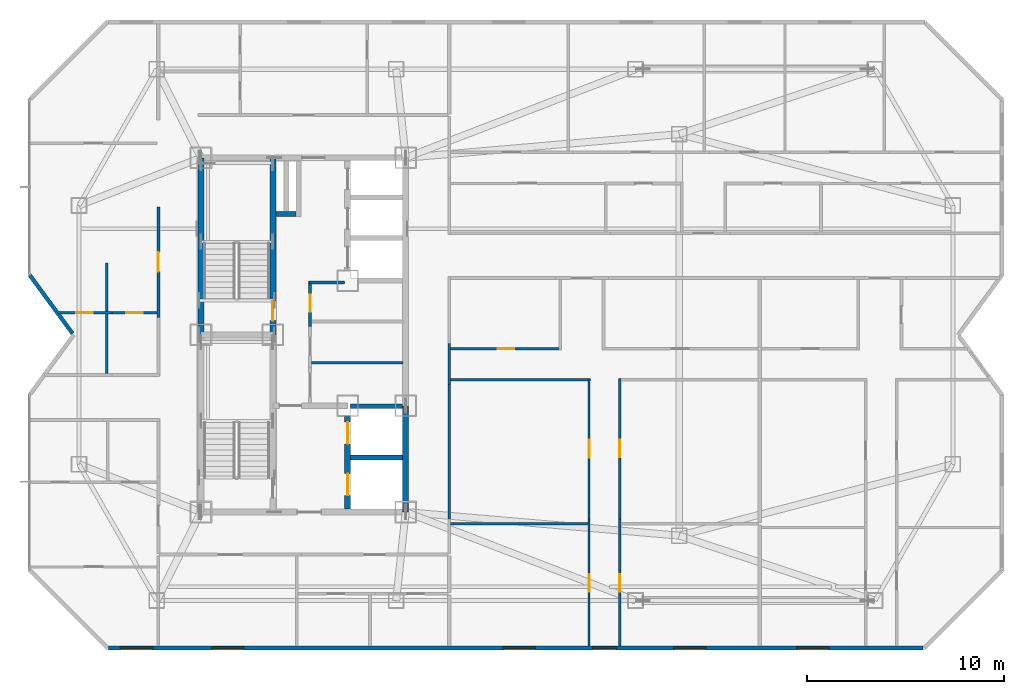
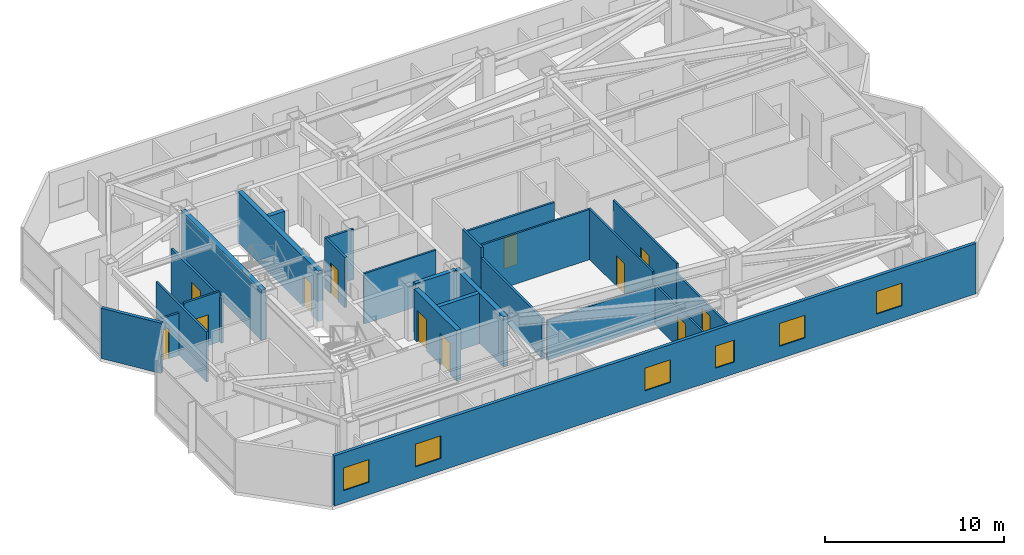
# One storey, part 11 of 15: 25 walls, 12 doors, 6 windows, 18 openings.
"""IFC4 building model written with IfcOpenShell, lengths in metres."""

from ifc_helpers import new_model, si_unit, direction, frame, frame_2d, origin, place, context, subcontext, project, spatial, rectangle, extrude, material, layer, layer_set, type_object, element, fill, save


model = new_model("IFC4")

# Units and contexts
model_context = context("Model", 3, precision=1e-05, world=origin(), true_north=direction((0.0, 1.0)))
body_context = subcontext(model_context, "Body", "Model", "MODEL_VIEW")
ifc_project = project(units=[si_unit("LENGTHUNIT", "METRE"), si_unit("AREAUNIT", "SQUARE_METRE"), si_unit("VOLUMEUNIT", "CUBIC_METRE"), si_unit("PLANEANGLEUNIT", "RADIAN"), si_unit("MASSUNIT", "GRAM", prefix="KILO")], contexts=[model_context])

# Site, building, storey
site_placement = place(None, origin())
site = spatial("IfcSite", under=ifc_project, at=site_placement, CompositionType="ELEMENT")
building_placement = place(site_placement, origin())
building = spatial("IfcBuilding", under=site, at=building_placement, Name="Khamvora Tower", CompositionType="ELEMENT")
storey_placement = place(building_placement, frame((0.0, 0.0, 220.85009765625)))
storey = spatial("IfcBuildingStorey", under=building, at=storey_placement, Name="L56", CompositionType="ELEMENT", Elevation=220.85009765625)

# Walls
ifc_material_1 = material(Name="Concrete C50/60", Category="concrete")
ifc_layer_1 = layer(ifc_material_1, 0.300048828125)
ifc_layer_set_1 = layer_set([ifc_layer_1], Name="Concrete C50/60")
wall_type_1 = type_object("IfcWallType", Name="WAL-CORE-300", PredefinedType="SHEAR", material=ifc_layer_set_1)
wall_1_placement = place(storey_placement, frame((29.0, 28.0, 0.0), z_axis=(0.0, 0.0, 1.0), x_axis=(0.0, 1.0, 0.0)))
element("IfcWall", 1, at=wall_1_placement, inside=storey, type_object=wall_type_1, Name="L56 central core west north wall", PredefinedType="SHEAR", context=body_context, shape_type="SweptSolid", body=[
    extrude(rectangle(XDim=9.0, YDim=0.300048828125, at=frame_2d((4.5, 0.0))), origin(), (0.0, 0.0, 1.0), 3.429931640625),
])
wall_2_placement = place(storey_placement, frame((39.39990234375, 19.0, 0.0), z_axis=(0.0, 0.0, 1.0), x_axis=(0.0, 1.0, 0.0)))
element("IfcWall", 2, at=wall_2_placement, inside=storey, type_object=wall_type_1, Name="L56 central core east south wall", PredefinedType="SHEAR", context=body_context, shape_type="SweptSolid", body=[
    extrude(rectangle(XDim=5.39990234375, YDim=0.300048828125, at=frame_2d((2.699951171875, 0.0))), origin(), (0.0, 0.0, 1.0), 3.429931640625),
])

# Wall, opening, door
wall_3_placement = place(storey_placement, frame((32.64990234375, 28.0, 0.0), z_axis=(0.0, 0.0, 1.0), x_axis=(0.0, 1.0, 0.0)))
wall_3 = element("IfcWall", 3, at=wall_3_placement, inside=storey, type_object=wall_type_1, Name="L56 central core stair north spine wall", PredefinedType="SHEAR", context=body_context, shape_type="SweptSolid", body=[
    extrude(rectangle(XDim=9.0, YDim=0.300048828125, at=frame_2d((4.5, 0.0))), origin(), (0.0, 0.0, 1.0), 3.429931640625),
])
opening_1_placement = place(wall_3_placement, frame((0.719970703125, 0.0, 0.0)))
opening_1 = element("IfcOpeningElement", 4, at=opening_1_placement, cuts=wall_3, Name="Opening D-ST1", PredefinedType="OPENING", context=body_context, shape_type="SweptSolid", body=[
    extrude(rectangle(XDim=1.0, YDim=2.14990234375, at=frame_2d((0.5, 1.074951171875))), frame((0.0, 0.159912109375, 0.0), z_axis=(0.0, -1.0, 0.0), x_axis=(1.0, 0.0, 0.0)), (0.0, 0.0, 1.0), 0.320068359375),
])
ifc_material_2 = material(Name="Powder-Coated Steel and Hardwood Leaf", Category="steel")
door_type_1 = type_object("IfcDoorType", Name="DOR-STAIR-1000", OperationType="NOTDEFINED", PredefinedType="DOOR", material=ifc_material_2)
door_1_placement = place(opening_1_placement, origin())
door_1 = element("IfcDoor", 5, at=door_1_placement, inside=storey, type_object=door_type_1, Name="L56 exit stair ST-02 fire door", OperationType="SINGLE_SWING_RIGHT", OverallHeight=2.14990234375, OverallWidth=1.0, PredefinedType="DOOR", context=body_context, shape_type="SweptSolid", body=[
    extrude(rectangle(XDim=1.0, YDim=2.14990234375, at=frame_2d((0.5, 1.074951171875))), frame((0.0, 0.02490234375, 0.0), z_axis=(0.0, -1.0, 0.0), x_axis=(1.0, 0.0, 0.0)), (0.0, 0.0, 1.0), 0.050048828125),
])
fill(opening_1, door_1)

# Wall, openings, doors
wall_4_placement = place(storey_placement, frame((36.449951171875, 19.154052734375, 0.0), z_axis=(0.0, 0.0, 1.0), x_axis=(0.0, 1.0, 0.0)))
wall_4 = element("IfcWall", 6, at=wall_4_placement, inside=storey, type_object=wall_type_1, Name="L56 central core lift bank south wall", PredefinedType="SHEAR", context=body_context, shape_type="SweptSolid", body=[
    extrude(rectangle(XDim=4.696044921875, YDim=0.300048828125, at=frame_2d((2.34814453125, 0.0))), origin(), (0.0, 0.0, 1.0), 3.429931640625),
])
opening_2_placement = place(wall_4_placement, frame((0.696044921875, 0.0, 0.0)))
opening_2 = element("IfcOpeningElement", 7, at=opening_2_placement, cuts=wall_4, Name="Opening LD-FFL", PredefinedType="OPENING", context=body_context, shape_type="SweptSolid", body=[
    extrude(rectangle(XDim=1.10009765625, YDim=2.14990234375, at=frame_2d((0.550048828125, 1.074951171875))), frame((0.0, 0.159912109375, 0.0), z_axis=(0.0, -1.0, 0.0), x_axis=(1.0, 0.0, 0.0)), (0.0, 0.0, 1.0), 0.320068359375),
])
opening_3_placement = place(wall_4_placement, frame((3.31591796875, 0.0, 0.0)))
opening_3 = element("IfcOpeningElement", 8, at=opening_3_placement, cuts=wall_4, Name="Opening LD-FFL", PredefinedType="OPENING", context=body_context, shape_type="SweptSolid", body=[
    extrude(rectangle(XDim=1.10009765625, YDim=2.14990234375, at=frame_2d((0.550048828125, 1.074951171875))), frame((0.0, 0.159912109375, 0.0), z_axis=(0.0, -1.0, 0.0), x_axis=(1.0, 0.0, 0.0)), (0.0, 0.0, 1.0), 0.320068359375),
])
door_type_2 = type_object("IfcDoorType", Name="DOR-LIFT-1100", OperationType="SLIDING_TO_LEFT", PredefinedType="DOOR", material=ifc_material_2)
door_2_placement = place(opening_2_placement, origin())
door_2 = element("IfcDoor", 9, at=door_2_placement, inside=storey, type_object=door_type_2, Name="L56 lift landing sliding door FFL-01", OperationType="SLIDING_TO_LEFT", OverallHeight=2.14990234375, OverallWidth=1.10009765625, PredefinedType="DOOR", context=body_context, shape_type="SweptSolid", body=[
    extrude(rectangle(XDim=1.10009765625, YDim=2.14990234375, at=frame_2d((0.550048828125, 1.074951171875))), frame((0.0, 0.02490234375, 0.0), z_axis=(0.0, -1.0, 0.0), x_axis=(1.0, 0.0, 0.0)), (0.0, 0.0, 1.0), 0.050048828125),
])
fill(opening_2, door_2)
door_3_placement = place(opening_3_placement, origin())
door_3 = element("IfcDoor", 10, at=door_3_placement, inside=storey, type_object=door_type_2, Name="L56 lift landing sliding door FFL-02", OperationType="SLIDING_TO_LEFT", OverallHeight=2.14990234375, OverallWidth=1.10009765625, PredefinedType="DOOR", context=body_context, shape_type="SweptSolid", body=[
    extrude(rectangle(XDim=1.10009765625, YDim=2.14990234375, at=frame_2d((0.550048828125, 1.074951171875))), frame((0.0, 0.02490234375, 0.0), z_axis=(0.0, -1.0, 0.0), x_axis=(1.0, 0.0, 0.0)), (0.0, 0.0, 1.0), 0.050048828125),
])
fill(opening_3, door_3)

# Wall
ifc_material_3 = material(Name="Fire-Rated Drywall and Steel Stud", Category="steel")
ifc_layer_2 = layer(ifc_material_3, 0.14990234375)
ifc_layer_set_2 = layer_set([ifc_layer_2], Name="Fire-Rated Drywall and Steel Stud")
wall_type_2 = type_object("IfcWallType", Name="WAL-CORR-150", PredefinedType="STANDARD", material=ifc_layer_set_2)
wall_5_placement = place(storey_placement, frame((36.300048828125, 30.6650390625, 0.0), z_axis=(0.0, 0.0, 1.0), x_axis=(-1.0, 0.0, 0.0)))
element("IfcWall", 11, at=wall_5_placement, inside=storey, type_object=wall_type_2, Name="L56 interior partition wall 001", PredefinedType="STANDARD", context=body_context, shape_type="SweptSolid", body=[
    extrude(rectangle(XDim=1.820068359375, YDim=0.14990234375, at=frame_2d((0.91015625, 0.0))), origin(), (0.0, 0.0, 1.0), 3.429931640625),
])

# Wall, opening, door
wall_6_placement = place(storey_placement, frame((34.544921875, 30.72998046875, 0.0), z_axis=(0.0, 0.0, 1.0), x_axis=(0.0, -1.0, 0.0)))
wall_6 = element("IfcWall", 12, at=wall_6_placement, inside=storey, type_object=wall_type_2, Name="L56 interior partition wall 002", PredefinedType="STANDARD", context=body_context, shape_type="SweptSolid", body=[
    extrude(rectangle(XDim=2.2939453125, YDim=0.14990234375, at=frame_2d((1.14697265625, 0.0))), origin(), (0.0, 0.0, 1.0), 3.429931640625),
])
opening_4_placement = place(wall_6_placement, frame((0.700927734375, 0.0, 0.0)))
opening_4 = element("IfcOpeningElement", 13, at=opening_4_placement, cuts=wall_6, Name="Opening D-WC1", PredefinedType="OPENING", context=body_context, shape_type="SweptSolid", body=[
    extrude(rectangle(XDim=0.85009765625, YDim=2.10009765625, at=frame_2d((0.425048828125, 1.050048828125))), frame((0.0, 0.0849609375, 0.0), z_axis=(0.0, -1.0, 0.0), x_axis=(1.0, 0.0, 0.0)), (0.0, 0.0, 1.0), 0.169921875),
])
door_type_3 = type_object("IfcDoorType", Name="DOR-WET-850", OperationType="NOTDEFINED", PredefinedType="DOOR", material=ifc_material_2)
door_4_placement = place(opening_4_placement, origin())
door_4 = element("IfcDoor", 14, at=door_4_placement, inside=storey, type_object=door_type_3, Name="L56 interior door PHL-CS1", OperationType="SINGLE_SWING_RIGHT", OverallHeight=2.10009765625, OverallWidth=0.85009765625, PredefinedType="DOOR", context=body_context, shape_type="SweptSolid", body=[
    extrude(rectangle(XDim=0.85009765625, YDim=2.10009765625, at=frame_2d((0.425048828125, 1.050048828125))), frame((0.0, 0.02490234375, 0.0), z_axis=(0.0, -1.0, 0.0), x_axis=(1.0, 0.0, 0.0)), (0.0, 0.0, 1.0), 0.050048828125),
])
fill(opening_4, door_4)

wall_7_placement = place(storey_placement, frame((26.8349609375, 28.881103515625, 0.0), z_axis=(0.0, 0.0, 1.0), x_axis=(0.0, 1.0, 0.0)))
wall_7 = element("IfcWall", 15, at=wall_7_placement, inside=storey, type_object=wall_type_2, Name="L56 interior partition wall 012", PredefinedType="STANDARD", context=body_context, shape_type="SweptSolid", body=[
    extrude(rectangle(XDim=5.618896484375, YDim=0.14990234375, at=frame_2d((2.8095703125, 0.0))), origin(), (0.0, 0.0, 1.0), 3.06494140625),
])
opening_5_placement = place(wall_7_placement, frame((2.330078125, 0.0, 0.0)))
opening_5 = element("IfcOpeningElement", 16, at=opening_5_placement, cuts=wall_7, Name="Opening D-U1", PredefinedType="OPENING", context=body_context, shape_type="SweptSolid", body=[
    extrude(rectangle(XDim=1.0, YDim=2.14990234375, at=frame_2d((0.5, 1.074951171875))), frame((0.0, 0.0849609375, 0.0), z_axis=(0.0, -1.0, 0.0), x_axis=(1.0, 0.0, 0.0)), (0.0, 0.0, 1.0), 0.169921875),
])
door_type_4 = type_object("IfcDoorType", Name="DOR-UNIT-1000", OperationType="NOTDEFINED", PredefinedType="DOOR", material=ifc_material_2)
door_5_placement = place(opening_5_placement, origin())
door_5 = element("IfcDoor", 17, at=door_5_placement, inside=storey, type_object=door_type_4, Name="L56 interior door COR-56WCH", OperationType="SINGLE_SWING_LEFT", OverallHeight=2.14990234375, OverallWidth=1.0, PredefinedType="DOOR", context=body_context, shape_type="SweptSolid", body=[
    extrude(rectangle(XDim=1.0, YDim=2.14990234375, at=frame_2d((0.5, 1.074951171875))), frame((0.0, 0.02490234375, 0.0), z_axis=(0.0, -1.0, 0.0), x_axis=(1.0, 0.0, 0.0)), (0.0, 0.0, 1.0), 0.050048828125),
])
fill(opening_5, door_5)

# Walls
wall_8_placement = place(storey_placement, frame((41.614990234375, 27.553955078125, 0.0), z_axis=(0.0, 0.0, 1.0), x_axis=(0.0, -1.0, 0.0)))
element("IfcWall", 18, at=wall_8_placement, inside=storey, type_object=wall_type_2, Name="L56 interior partition wall 021", PredefinedType="STANDARD", context=body_context, shape_type="SweptSolid", body=[
    extrude(rectangle(XDim=2.077880859375, YDim=0.14990234375, at=frame_2d((1.0390625, 0.0))), origin(), (0.0, 0.0, 1.0), 3.429931640625),
])
wall_9_placement = place(storey_placement, frame((41.614990234375, 25.47607421875, 0.0), z_axis=(0.0, 0.0, 1.0), x_axis=(0.0, -1.0, 0.0)))
element("IfcWall", 19, at=wall_9_placement, inside=storey, type_object=wall_type_2, Name="L56 interior partition wall 026", PredefinedType="STANDARD", context=body_context, shape_type="SweptSolid", body=[
    extrude(rectangle(XDim=6.822998046875, YDim=0.14990234375, at=frame_2d((3.41162109375, 0.0))), origin(), (0.0, 0.0, 1.0), 2.724853515625),
])
ifc_material_4 = material(Name="Precast concrete C40/50", Category="concrete")
ifc_layer_3 = layer(ifc_material_4, 0.199951171875)
ifc_layer_set_3 = layer_set([ifc_layer_3], Name="Precast concrete C40/50")
wall_type_3 = type_object("IfcWallType", Name="WAL-EXT-200", PredefinedType="STANDARD", material=ifc_layer_set_3)
wall_10_placement = place(storey_placement, frame((22.472900390625, 28.069091796875, 0.0), z_axis=(0.0, 0.0, 1.0), x_axis=(-0.591248456881, 0.80648946815, 0.0)))
element("IfcWall", 20, at=wall_10_placement, inside=storey, type_object=wall_type_3, Name="L56 exterior facade wall 04.1", PredefinedType="STANDARD", context=body_context, shape_type="SweptSolid", body=[
    extrude(rectangle(XDim=3.675048828125, YDim=0.199951171875, at=frame_2d((1.83740234375, 0.0))), origin(), (0.0, 0.0, 1.0), 3.429931640625),
])

# Wall, openings, windows
wall_11_placement = place(storey_placement, frame((65.696044921875, 12.10009765625, 0.0), z_axis=(0.0, 0.0, 1.0), x_axis=(-1.0, 0.0, 0.0)))
wall_11 = element("IfcWall", 21, at=wall_11_placement, inside=storey, type_object=wall_type_3, Name="L56 exterior facade wall 14.1", PredefinedType="STANDARD", context=body_context, shape_type="SweptSolid", body=[
    extrude(rectangle(XDim=41.39306640625, YDim=0.199951171875, at=frame_2d((20.696533203125, 0.0))), origin(), (0.0, 0.0, 1.0), 3.429931640625),
])
opening_6_placement = place(wall_11_placement, frame((34.52099609375, 0.0, 0.85009765625)))
opening_6 = element("IfcOpeningElement", 22, at=opening_6_placement, cuts=wall_11, Name="Opening WN-06", PredefinedType="OPENING", context=body_context, shape_type="SweptSolid", body=[
    extrude(rectangle(XDim=1.64990234375, YDim=1.550048828125, at=frame_2d((0.824951171875, 0.77490234375))), frame((0.0, 0.10986328125, 0.0), z_axis=(0.0, -1.0, 0.0), x_axis=(1.0, 0.0, 0.0)), (0.0, 0.0, 1.0), 0.219970703125),
])
opening_7_placement = place(wall_11_placement, frame((39.139892578125, 0.0, 0.85009765625)))
opening_7 = element("IfcOpeningElement", 23, at=opening_7_placement, cuts=wall_11, Name="Opening WN-06", PredefinedType="OPENING", context=body_context, shape_type="SweptSolid", body=[
    extrude(rectangle(XDim=1.64990234375, YDim=1.550048828125, at=frame_2d((0.824951171875, 0.77490234375))), frame((0.0, 0.10986328125, 0.0), z_axis=(0.0, -1.0, 0.0), x_axis=(1.0, 0.0, 0.0)), (0.0, 0.0, 1.0), 0.219970703125),
])
opening_8_placement = place(wall_11_placement, frame((15.595947265625, 0.0, 0.800048828125)))
opening_8 = element("IfcOpeningElement", 24, at=opening_8_placement, cuts=wall_11, Name="Opening WN-03", PredefinedType="OPENING", context=body_context, shape_type="SweptSolid", body=[
    extrude(rectangle(XDim=1.199951171875, YDim=1.5, at=frame_2d((0.60009765625, 0.75))), frame((0.0, 0.10986328125, 0.0), z_axis=(0.0, -1.0, 0.0), x_axis=(1.0, 0.0, 0.0)), (0.0, 0.0, 1.0), 0.219970703125),
])
opening_9_placement = place(wall_11_placement, frame((19.7060546875, 0.0, 0.85009765625)))
opening_9 = element("IfcOpeningElement", 25, at=opening_9_placement, cuts=wall_11, Name="Opening WN-06", PredefinedType="OPENING", context=body_context, shape_type="SweptSolid", body=[
    extrude(rectangle(XDim=1.64990234375, YDim=1.550048828125, at=frame_2d((0.824951171875, 0.77490234375))), frame((0.0, 0.10986328125, 0.0), z_axis=(0.0, -1.0, 0.0), x_axis=(1.0, 0.0, 0.0)), (0.0, 0.0, 1.0), 0.219970703125),
])
opening_10_placement = place(wall_11_placement, frame((11.035888671875, 0.0, 0.85009765625)))
opening_10 = element("IfcOpeningElement", 26, at=opening_10_placement, cuts=wall_11, Name="Opening WN-06", PredefinedType="OPENING", context=body_context, shape_type="SweptSolid", body=[
    extrude(rectangle(XDim=1.64990234375, YDim=1.550048828125, at=frame_2d((0.824951171875, 0.77490234375))), frame((0.0, 0.10986328125, 0.0), z_axis=(0.0, -1.0, 0.0), x_axis=(1.0, 0.0, 0.0)), (0.0, 0.0, 1.0), 0.219970703125),
])
opening_11_placement = place(wall_11_placement, frame((4.785888671875, 0.0, 0.85009765625)))
opening_11 = element("IfcOpeningElement", 27, at=opening_11_placement, cuts=wall_11, Name="Opening WN-06", PredefinedType="OPENING", context=body_context, shape_type="SweptSolid", body=[
    extrude(rectangle(XDim=1.64990234375, YDim=1.550048828125, at=frame_2d((0.824951171875, 0.77490234375))), frame((0.0, 0.10986328125, 0.0), z_axis=(0.0, -1.0, 0.0), x_axis=(1.0, 0.0, 0.0)), (0.0, 0.0, 1.0), 0.219970703125),
])
ifc_material_5 = material(Name="Low-E Laminated Double Glazing", Category="glass")
window_type_1 = type_object("IfcWindowType", Name="WIN-VIS-1200x1500", PartitioningType="SINGLE_PANEL", PredefinedType="WINDOW", material=ifc_material_5)
window_1_placement = place(opening_8_placement, origin())
window_1 = element("IfcWindow", 28, at=window_1_placement, inside=storey, type_object=window_type_1, Name="L56 vision window 14.1.03", OverallHeight=1.5, OverallWidth=1.199951171875, PartitioningType="SINGLE_PANEL", PredefinedType="WINDOW", context=body_context, shape_type="SweptSolid", body=[
    extrude(rectangle(XDim=1.199951171875, YDim=1.5, at=frame_2d((0.60009765625, 0.75))), frame((0.0, 0.030029296875, 0.0), z_axis=(0.0, -1.0, 0.0), x_axis=(1.0, 0.0, 0.0)), (0.0, 0.0, 1.0), 0.06005859375),
])
fill(opening_8, window_1)
window_type_2 = type_object("IfcWindowType", Name="WIN-VIS-1650x1550", PartitioningType="SINGLE_PANEL", PredefinedType="WINDOW", material=ifc_material_5)
window_2_placement = place(opening_6_placement, origin())
window_2 = element("IfcWindow", 29, at=window_2_placement, inside=storey, type_object=window_type_2, Name="L56 vision window 14.1.01", OverallHeight=1.550048828125, OverallWidth=1.64990234375, PartitioningType="SINGLE_PANEL", PredefinedType="WINDOW", context=body_context, shape_type="SweptSolid", body=[
    extrude(rectangle(XDim=1.64990234375, YDim=1.550048828125, at=frame_2d((0.824951171875, 0.77490234375))), frame((0.0, 0.030029296875, 0.0), z_axis=(0.0, -1.0, 0.0), x_axis=(1.0, 0.0, 0.0)), (0.0, 0.0, 1.0), 0.06005859375),
])
fill(opening_6, window_2)
window_3_placement = place(opening_7_placement, origin())
window_3 = element("IfcWindow", 30, at=window_3_placement, inside=storey, type_object=window_type_2, Name="L56 vision window 14.1.02", OverallHeight=1.550048828125, OverallWidth=1.64990234375, PartitioningType="SINGLE_PANEL", PredefinedType="WINDOW", context=body_context, shape_type="SweptSolid", body=[
    extrude(rectangle(XDim=1.64990234375, YDim=1.550048828125, at=frame_2d((0.824951171875, 0.77490234375))), frame((0.0, 0.030029296875, 0.0), z_axis=(0.0, -1.0, 0.0), x_axis=(1.0, 0.0, 0.0)), (0.0, 0.0, 1.0), 0.06005859375),
])
fill(opening_7, window_3)
window_4_placement = place(opening_9_placement, origin())
window_4 = element("IfcWindow", 31, at=window_4_placement, inside=storey, type_object=window_type_2, Name="L56 vision window 14.1.04", OverallHeight=1.550048828125, OverallWidth=1.64990234375, PartitioningType="SINGLE_PANEL", PredefinedType="WINDOW", context=body_context, shape_type="SweptSolid", body=[
    extrude(rectangle(XDim=1.64990234375, YDim=1.550048828125, at=frame_2d((0.824951171875, 0.77490234375))), frame((0.0, 0.030029296875, 0.0), z_axis=(0.0, -1.0, 0.0), x_axis=(1.0, 0.0, 0.0)), (0.0, 0.0, 1.0), 0.06005859375),
])
fill(opening_9, window_4)
window_5_placement = place(opening_10_placement, origin())
window_5 = element("IfcWindow", 32, at=window_5_placement, inside=storey, type_object=window_type_2, Name="L56 vision window 14.1.05", OverallHeight=1.550048828125, OverallWidth=1.64990234375, PartitioningType="SINGLE_PANEL", PredefinedType="WINDOW", context=body_context, shape_type="SweptSolid", body=[
    extrude(rectangle(XDim=1.64990234375, YDim=1.550048828125, at=frame_2d((0.824951171875, 0.77490234375))), frame((0.0, 0.030029296875, 0.0), z_axis=(0.0, -1.0, 0.0), x_axis=(1.0, 0.0, 0.0)), (0.0, 0.0, 1.0), 0.06005859375),
])
fill(opening_10, window_5)
window_6_placement = place(opening_11_placement, origin())
window_6 = element("IfcWindow", 33, at=window_6_placement, inside=storey, type_object=window_type_2, Name="L56 vision window 14.1.06", OverallHeight=1.550048828125, OverallWidth=1.64990234375, PartitioningType="SINGLE_PANEL", PredefinedType="WINDOW", context=body_context, shape_type="SweptSolid", body=[
    extrude(rectangle(XDim=1.64990234375, YDim=1.550048828125, at=frame_2d((0.824951171875, 0.77490234375))), frame((0.0, 0.030029296875, 0.0), z_axis=(0.0, -1.0, 0.0), x_axis=(1.0, 0.0, 0.0)), (0.0, 0.0, 1.0), 0.06005859375),
])
fill(opening_11, window_6)

# Wall
ifc_material_6 = material(Name="Gypsum Plasterboard Partition", Category="gypsum")
ifc_layer_4 = layer(ifc_material_6, 0.1201171875)
ifc_layer_set_4 = layer_set([ifc_layer_4], Name="Gypsum Plasterboard Partition")
wall_type_4 = type_object("IfcWallType", Name="WAL-PART-120", PredefinedType="PARTITIONING", material=ifc_layer_set_4)
wall_12_placement = place(storey_placement, frame((39.256103515625, 26.5849609375, 0.0), z_axis=(0.0, 0.0, 1.0), x_axis=(-1.0, 0.0, 0.0)))
element("IfcWall", 34, at=wall_12_placement, inside=storey, type_object=wall_type_4, Name="L56 interior partition wall 006", PredefinedType="PARTITIONING", context=body_context, shape_type="SweptSolid", body=[
    extrude(rectangle(XDim=4.64404296875, YDim=0.1201171875, at=frame_2d((2.322021484375, 0.0))), origin(), (0.0, 0.0, 1.0), 3.429931640625),
])

# Wall, opening, door
wall_13_placement = place(storey_placement, frame((48.715087890625, 12.19189453125, 0.0), z_axis=(0.0, 0.0, 1.0), x_axis=(0.0, 1.0, 0.0)))
wall_13 = element("IfcWall", 35, at=wall_13_placement, inside=storey, type_object=wall_type_4, Name="L56 interior partition wall 066", PredefinedType="PARTITIONING", context=body_context, shape_type="SweptSolid", body=[
    extrude(rectangle(XDim=6.461181640625, YDim=0.1201171875, at=frame_2d((3.23046875, 0.0))), origin(), (0.0, 0.0, 1.0), 2.724853515625),
])
opening_12_placement = place(wall_13_placement, frame((2.759033203125, 0.0, 0.0)))
opening_12 = element("IfcOpeningElement", 36, at=opening_12_placement, cuts=wall_13, Name="Opening D-RM1", PredefinedType="OPENING", context=body_context, shape_type="SweptSolid", body=[
    extrude(rectangle(XDim=0.89990234375, YDim=2.10009765625, at=frame_2d((0.449951171875, 1.050048828125))), frame((0.0, 0.070068359375, 0.0), z_axis=(0.0, -1.0, 0.0), x_axis=(1.0, 0.0, 0.0)), (0.0, 0.0, 1.0), 0.14013671875),
])
door_type_5 = type_object("IfcDoorType", Name="DOR-ROOM-900", OperationType="NOTDEFINED", PredefinedType="DOOR", material=ifc_material_2)
door_6_placement = place(opening_12_placement, origin())
door_6 = element("IfcDoor", 37, at=door_6_placement, inside=storey, type_object=door_type_5, Name="L56 interior door 56EAH-56EAR1", OperationType="SINGLE_SWING_LEFT", OverallHeight=2.10009765625, OverallWidth=0.89990234375, PredefinedType="DOOR", context=body_context, shape_type="SweptSolid", body=[
    extrude(rectangle(XDim=0.89990234375, YDim=2.10009765625, at=frame_2d((0.449951171875, 1.050048828125))), frame((0.0, 0.02490234375, 0.0), z_axis=(0.0, -1.0, 0.0), x_axis=(1.0, 0.0, 0.0)), (0.0, 0.0, 1.0), 0.050048828125),
])
fill(opening_12, door_6)

wall_14_placement = place(storey_placement, frame((48.715087890625, 18.653076171875, 0.0), z_axis=(0.0, 0.0, 1.0), x_axis=(0.0, 1.0, 0.0)))
wall_14 = element("IfcWall", 38, at=wall_14_placement, inside=storey, type_object=wall_type_4, Name="L56 interior partition wall 067", PredefinedType="PARTITIONING", context=body_context, shape_type="SweptSolid", body=[
    extrude(rectangle(XDim=7.136962890625, YDim=0.1201171875, at=frame_2d((3.568359375, 0.0))), origin(), (0.0, 0.0, 1.0), 3.429931640625),
])
opening_13_placement = place(wall_14_placement, frame((3.117919921875, 0.0, 0.0)))
opening_13 = element("IfcOpeningElement", 39, at=opening_13_placement, cuts=wall_14, Name="Opening D-RM1", PredefinedType="OPENING", context=body_context, shape_type="SweptSolid", body=[
    extrude(rectangle(XDim=0.89990234375, YDim=2.10009765625, at=frame_2d((0.449951171875, 1.050048828125))), frame((0.0, 0.070068359375, 0.0), z_axis=(0.0, -1.0, 0.0), x_axis=(1.0, 0.0, 0.0)), (0.0, 0.0, 1.0), 0.14013671875),
])
door_7_placement = place(opening_13_placement, origin())
door_7 = element("IfcDoor", 40, at=door_7_placement, inside=storey, type_object=door_type_5, Name="L56 interior door 56EAH-56EAR2", OperationType="SINGLE_SWING_RIGHT", OverallHeight=2.10009765625, OverallWidth=0.89990234375, PredefinedType="DOOR", context=body_context, shape_type="SweptSolid", body=[
    extrude(rectangle(XDim=0.89990234375, YDim=2.10009765625, at=frame_2d((0.449951171875, 1.050048828125))), frame((0.0, 0.02490234375, 0.0), z_axis=(0.0, -1.0, 0.0), x_axis=(1.0, 0.0, 0.0)), (0.0, 0.0, 1.0), 0.050048828125),
])
fill(opening_13, door_7)

# Wall
wall_15_placement = place(storey_placement, frame((48.780029296875, 25.72509765625, 0.0), z_axis=(0.0, 0.0, 1.0), x_axis=(-1.0, 0.0, 0.0)))
element("IfcWall", 41, at=wall_15_placement, inside=storey, type_object=wall_type_4, Name="L56 interior partition wall 068", PredefinedType="PARTITIONING", context=body_context, shape_type="SweptSolid", body=[
    extrude(rectangle(XDim=7.09814453125, YDim=0.1201171875, at=frame_2d((3.549072265625, 0.0))), origin(), (0.0, 0.0, 1.0), 3.429931640625),
])

# Wall, opening, door
wall_16_placement = place(storey_placement, frame((50.284912109375, 18.653076171875, 0.0), z_axis=(0.0, 0.0, 1.0), x_axis=(0.0, -1.0, 0.0)))
wall_16 = element("IfcWall", 42, at=wall_16_placement, inside=storey, type_object=wall_type_4, Name="L56 interior partition wall 069", PredefinedType="PARTITIONING", context=body_context, shape_type="SweptSolid", body=[
    extrude(rectangle(XDim=6.461181640625, YDim=0.1201171875, at=frame_2d((3.23046875, 0.0))), origin(), (0.0, 0.0, 1.0), 2.724853515625),
])
opening_14_placement = place(wall_16_placement, frame((2.801025390625, 0.0, 0.0)))
opening_14 = element("IfcOpeningElement", 43, at=opening_14_placement, cuts=wall_16, Name="Opening D-RM1", PredefinedType="OPENING", context=body_context, shape_type="SweptSolid", body=[
    extrude(rectangle(XDim=0.89990234375, YDim=2.10009765625, at=frame_2d((0.449951171875, 1.050048828125))), frame((0.0, 0.070068359375, 0.0), z_axis=(0.0, -1.0, 0.0), x_axis=(1.0, 0.0, 0.0)), (0.0, 0.0, 1.0), 0.14013671875),
])
door_8_placement = place(opening_14_placement, origin())
door_8 = element("IfcDoor", 44, at=door_8_placement, inside=storey, type_object=door_type_5, Name="L56 interior door 56EAH-56EAR3", OperationType="SINGLE_SWING_LEFT", OverallHeight=2.10009765625, OverallWidth=0.89990234375, PredefinedType="DOOR", context=body_context, shape_type="SweptSolid", body=[
    extrude(rectangle(XDim=0.89990234375, YDim=2.10009765625, at=frame_2d((0.449951171875, 1.050048828125))), frame((0.0, 0.02490234375, 0.0), z_axis=(0.0, -1.0, 0.0), x_axis=(1.0, 0.0, 0.0)), (0.0, 0.0, 1.0), 0.050048828125),
])
fill(opening_14, door_8)

wall_17_placement = place(storey_placement, frame((50.284912109375, 25.7900390625, 0.0), z_axis=(0.0, 0.0, 1.0), x_axis=(0.0, -1.0, 0.0)))
wall_17 = element("IfcWall", 45, at=wall_17_placement, inside=storey, type_object=wall_type_4, Name="L56 interior partition wall 071", PredefinedType="PARTITIONING", context=body_context, shape_type="SweptSolid", body=[
    extrude(rectangle(XDim=7.136962890625, YDim=0.1201171875, at=frame_2d((3.568359375, 0.0))), origin(), (0.0, 0.0, 1.0), 3.429931640625),
])
opening_15_placement = place(wall_17_placement, frame((3.117919921875, 0.0, 0.0)))
opening_15 = element("IfcOpeningElement", 46, at=opening_15_placement, cuts=wall_17, Name="Opening D-RM1", PredefinedType="OPENING", context=body_context, shape_type="SweptSolid", body=[
    extrude(rectangle(XDim=0.89990234375, YDim=2.10009765625, at=frame_2d((0.449951171875, 1.050048828125))), frame((0.0, 0.070068359375, 0.0), z_axis=(0.0, -1.0, 0.0), x_axis=(1.0, 0.0, 0.0)), (0.0, 0.0, 1.0), 0.14013671875),
])
door_9_placement = place(opening_15_placement, origin())
door_9 = element("IfcDoor", 47, at=door_9_placement, inside=storey, type_object=door_type_5, Name="L56 interior door 56EAH-56EAR4", OperationType="SINGLE_SWING_RIGHT", OverallHeight=2.10009765625, OverallWidth=0.89990234375, PredefinedType="DOOR", context=body_context, shape_type="SweptSolid", body=[
    extrude(rectangle(XDim=0.89990234375, YDim=2.10009765625, at=frame_2d((0.449951171875, 1.050048828125))), frame((0.0, 0.02490234375, 0.0), z_axis=(0.0, -1.0, 0.0), x_axis=(1.0, 0.0, 0.0)), (0.0, 0.0, 1.0), 0.050048828125),
])
fill(opening_15, door_9)

# Walls
wall_18_placement = place(storey_placement, frame((41.681884765625, 18.404052734375, 0.0), z_axis=(0.0, 0.0, 1.0), x_axis=(1.0, 0.0, 0.0)))
element("IfcWall", 48, at=wall_18_placement, inside=storey, type_object=wall_type_4, Name="L56 interior partition wall 074", PredefinedType="PARTITIONING", context=body_context, shape_type="SweptSolid", body=[
    extrude(rectangle(XDim=6.97900390625, YDim=0.1201171875, at=frame_2d((3.489501953125, 0.0))), origin(), (0.0, 0.0, 1.0), 2.724853515625),
])
ifc_material_7 = material(Name="Concrete C40/50", Category="concrete")
ifc_layer_5 = layer(ifc_material_7, 0.25)
ifc_layer_set_5 = layer_set([ifc_layer_5], Name="Concrete C40/50")
wall_type_5 = type_object("IfcWallType", Name="WAL-PODS-250", PredefinedType="SHEAR", material=ifc_layer_set_5)
for number, where, z_axis, x_axis, name in (
    (49, (36.60400390625, 21.77490234375, 0.0), (0.0, 0.0, 1.0), (1.0, 0.0, 0.0), "L56 lift shaft divider wall FFL-01"),
    (50, (36.60400390625, 24.375, 0.0), (0.0, 0.0, 1.0), (1.0, 0.0, 0.0), "L56 lift shaft divider wall FFL-02"),
):
    element("IfcWall", number, at=place(storey_placement, frame(where, z_axis=z_axis, x_axis=x_axis)), inside=storey, type_object=wall_type_5, Name=name, PredefinedType="SHEAR", context=body_context, shape_type="SweptSolid", body=[
        extrude(rectangle(XDim=2.64208984375, YDim=0.25, at=frame_2d((1.321044921875, 0.0))), origin(), (0.0, 0.0, 1.0), 3.429931640625),
    ])
wall_19_placement = place(storey_placement, frame((32.803955078125, 34.14990234375, 0.0), z_axis=(0.0, 0.0, 1.0), x_axis=(1.0, 0.0, 0.0)))
element("IfcWall", 51, at=wall_19_placement, inside=storey, type_object=wall_type_5, Name="L56 vertical MEP riser shaft south enclosure wall", PredefinedType="SHEAR", context=body_context, shape_type="SweptSolid", body=[
    extrude(rectangle(XDim=1.02197265625, YDim=0.25, at=frame_2d((0.510986328125, 0.0))), origin(), (0.0, 0.0, 1.0), 3.429931640625),
])

# Wall, opening, door
ifc_material_8 = material(Name="Moisture-Resistant Plasterboard Partition", Category="gypsum")
ifc_layer_6 = layer(ifc_material_8, 0.135009765625)
ifc_layer_set_6 = layer_set([ifc_layer_6], Name="Moisture-Resistant Plasterboard Partition")
wall_type_6 = type_object("IfcWallType", Name="WAL-WET-135", PredefinedType="PARTITIONING", material=ifc_layer_set_6)
wall_20_placement = place(storey_placement, frame((24.468994140625, 29.1298828125, 0.0), z_axis=(0.0, 0.0, 1.0), x_axis=(-1.0, 0.0, 0.0)))
wall_20 = element("IfcWall", 52, at=wall_20_placement, inside=storey, type_object=wall_type_6, Name="L56 interior partition wall 046", PredefinedType="PARTITIONING", context=body_context, shape_type="SweptSolid", body=[
    extrude(rectangle(XDim=2.744873046875, YDim=0.135009765625, at=frame_2d((1.37255859375, 0.0))), origin(), (0.0, 0.0, 1.0), 2.886962890625),
])
opening_16_placement = place(wall_20_placement, frame((0.968017578125, 0.0, 0.0)))
opening_16 = element("IfcOpeningElement", 53, at=opening_16_placement, cuts=wall_20, Name="Opening D-WC1", PredefinedType="OPENING", context=body_context, shape_type="SweptSolid", body=[
    extrude(rectangle(XDim=0.85009765625, YDim=2.10009765625, at=frame_2d((0.425048828125, 1.050048828125))), frame((0.0, 0.077392578125, 0.0), z_axis=(0.0, -1.0, 0.0), x_axis=(1.0, 0.0, 0.0)), (0.0, 0.0, 1.0), 0.155029296875),
])
door_10_placement = place(opening_16_placement, origin())
door_10 = element("IfcDoor", 54, at=door_10_placement, inside=storey, type_object=door_type_3, Name="L56 interior door 56WCH-56WCB", OperationType="SINGLE_SWING_LEFT", OverallHeight=2.10009765625, OverallWidth=0.85009765625, PredefinedType="DOOR", context=body_context, shape_type="SweptSolid", body=[
    extrude(rectangle(XDim=0.85009765625, YDim=2.10009765625, at=frame_2d((0.425048828125, 1.050048828125))), frame((0.0, 0.02490234375, 0.0), z_axis=(0.0, -1.0, 0.0), x_axis=(1.0, 0.0, 0.0)), (0.0, 0.0, 1.0), 0.050048828125),
])
fill(opening_16, door_10)

wall_21_placement = place(storey_placement, frame((26.77001953125, 29.1298828125, 0.0), z_axis=(0.0, 0.0, 1.0), x_axis=(-1.0, 0.0, 0.0)))
wall_21 = element("IfcWall", 55, at=wall_21_placement, inside=storey, type_object=wall_type_6, Name="L56 interior partition wall 047", PredefinedType="PARTITIONING", context=body_context, shape_type="SweptSolid", body=[
    extrude(rectangle(XDim=2.301025390625, YDim=0.135009765625, at=frame_2d((1.150390625, 0.0))), origin(), (0.0, 0.0, 1.0), 3.429931640625),
])
opening_17_placement = place(wall_21_placement, frame((0.72607421875, 0.0, 0.0)))
opening_17 = element("IfcOpeningElement", 56, at=opening_17_placement, cuts=wall_21, Name="Opening D-RM2", PredefinedType="OPENING", context=body_context, shape_type="SweptSolid", body=[
    extrude(rectangle(XDim=0.85009765625, YDim=2.10009765625, at=frame_2d((0.425048828125, 1.050048828125))), frame((0.0, 0.077392578125, 0.0), z_axis=(0.0, -1.0, 0.0), x_axis=(1.0, 0.0, 0.0)), (0.0, 0.0, 1.0), 0.155029296875),
])
door_type_6 = type_object("IfcDoorType", Name="DOR-ROOM-850", OperationType="NOTDEFINED", PredefinedType="DOOR", material=ifc_material_2)
door_11_placement = place(opening_17_placement, origin())
door_11 = element("IfcDoor", 57, at=door_11_placement, inside=storey, type_object=door_type_6, Name="L56 interior door 56WCH-56WCK", OperationType="SINGLE_SWING_RIGHT", OverallHeight=2.10009765625, OverallWidth=0.85009765625, PredefinedType="DOOR", context=body_context, shape_type="SweptSolid", body=[
    extrude(rectangle(XDim=0.85009765625, YDim=2.10009765625, at=frame_2d((0.425048828125, 1.050048828125))), frame((0.0, 0.02490234375, 0.0), z_axis=(0.0, -1.0, 0.0), x_axis=(1.0, 0.0, 0.0)), (0.0, 0.0, 1.0), 0.050048828125),
])
fill(opening_17, door_11)

# Wall
wall_22_placement = place(storey_placement, frame((24.219970703125, 31.6650390625, 0.0), z_axis=(0.0, 0.0, 1.0), x_axis=(0.0, -1.0, 0.0)))
element("IfcWall", 58, at=wall_22_placement, inside=storey, type_object=wall_type_6, Name="L56 interior partition wall 049", PredefinedType="PARTITIONING", context=body_context, shape_type="SweptSolid", body=[
    extrude(rectangle(XDim=5.635009765625, YDim=0.135009765625, at=frame_2d((2.8173828125, 0.0))), origin(), (0.0, 0.0, 1.0), 3.429931640625),
])

# Wall, opening, door
wall_23_placement = place(storey_placement, frame((41.681884765625, 27.304931640625, 0.0), z_axis=(0.0, 0.0, 1.0), x_axis=(1.0, 0.0, 0.0)))
wall_23 = element("IfcWall", 59, at=wall_23_placement, inside=storey, type_object=wall_type_6, Name="L56 interior partition wall 062", PredefinedType="PARTITIONING", context=body_context, shape_type="SweptSolid", body=[
    extrude(rectangle(XDim=5.633056640625, YDim=0.135009765625, at=frame_2d((2.81640625, 0.0))), origin(), (0.0, 0.0, 1.0), 3.429931640625),
])
opening_18_placement = place(wall_23_placement, frame((2.39208984375, 0.0, 0.0)))
opening_18 = element("IfcOpeningElement", 60, at=opening_18_placement, cuts=wall_23, Name="Opening D-WC1", PredefinedType="OPENING", context=body_context, shape_type="SweptSolid", body=[
    extrude(rectangle(XDim=0.85009765625, YDim=2.10009765625, at=frame_2d((0.425048828125, 1.050048828125))), frame((0.0, 0.077392578125, 0.0), z_axis=(0.0, -1.0, 0.0), x_axis=(1.0, 0.0, 0.0)), (0.0, 0.0, 1.0), 0.155029296875),
])
door_12_placement = place(opening_18_placement, origin())
door_12 = element("IfcDoor", 61, at=door_12_placement, inside=storey, type_object=door_type_3, Name="L56 interior door 56EAH-56EAB", OperationType="SINGLE_SWING_LEFT", OverallHeight=2.10009765625, OverallWidth=0.85009765625, PredefinedType="DOOR", context=body_context, shape_type="SweptSolid", body=[
    extrude(rectangle(XDim=0.85009765625, YDim=2.10009765625, at=frame_2d((0.425048828125, 1.050048828125))), frame((0.0, 0.02490234375, 0.0), z_axis=(0.0, -1.0, 0.0), x_axis=(1.0, 0.0, 0.0)), (0.0, 0.0, 1.0), 0.050048828125),
])
fill(opening_18, door_12)

save(model, "model.ifc")
